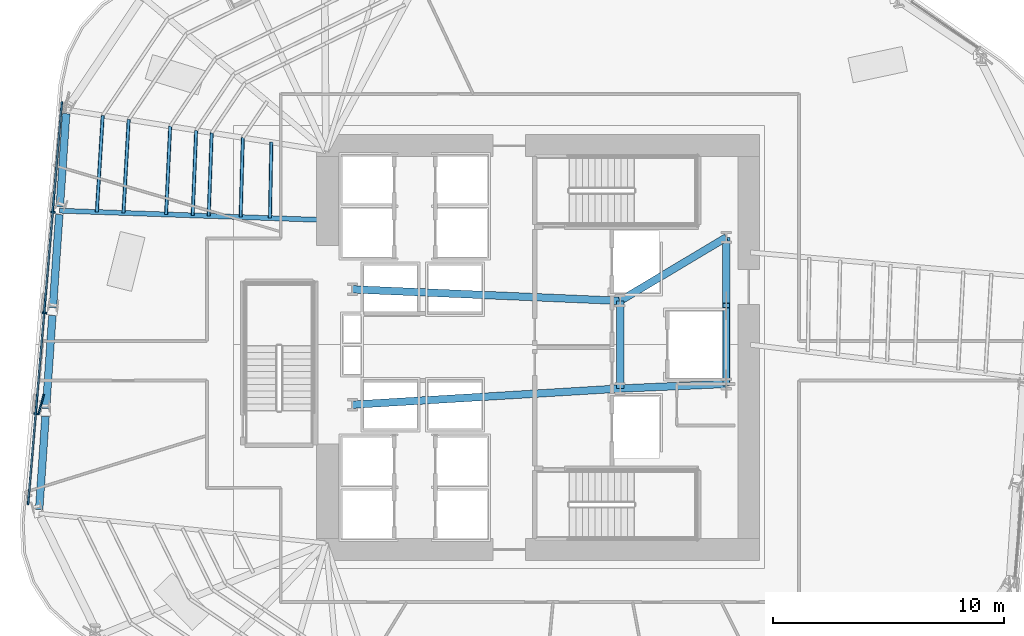
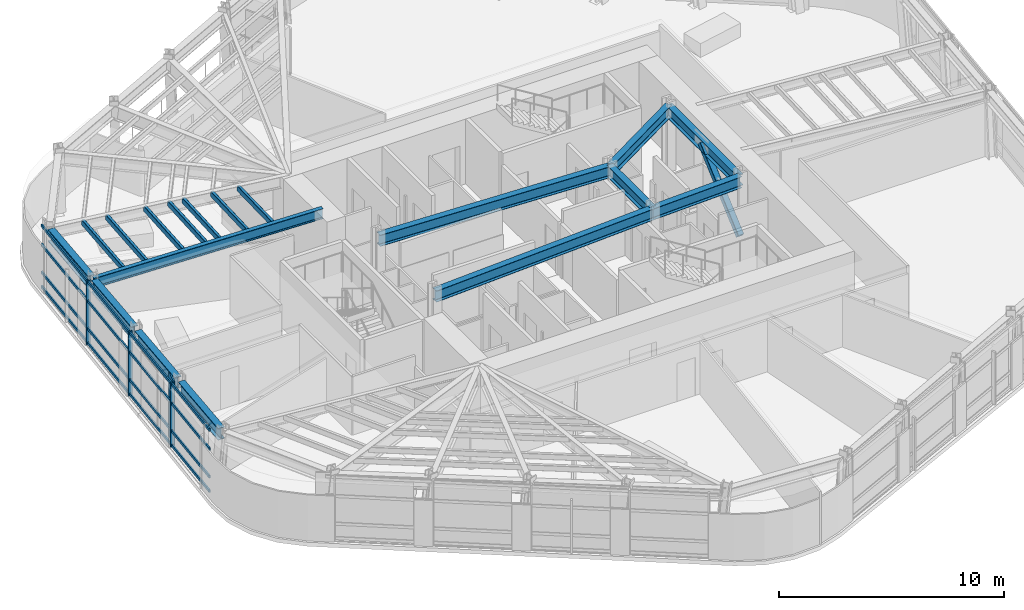
# One storey, part 4 of 19: 16 members, 11 beams, 1 element without a shape of its own.
"""IFC4 building model written with IfcOpenShell, lengths in metres."""

import ifcopenshell
import ifcopenshell.guid

model = None  # the IFC model being written
_history = None  # IfcOwnerHistory: only IFC2X3 demands one
_inside = {}  # id of a spatial element -> (the spatial element, [elements in it])
_under = {}  # id of a project, library or spatial element -> (it, [spatial elements below it])
_declared = {}  # id of a project -> (the project, [libraries it declares])
_typed = {}  # id of a type object -> (the type object, [elements of that type])
_made_of = {}  # id of a material, layer set ... -> (it, [elements and type objects made of it])


def new_model(schema):
    """Start an empty IFC model of exactly this schema.

    Asked for "IFC4X3", IfcOpenShell would pick the latest addendum, in which some entities
    have other attributes; the version numbers below select the first issue.
    IFC2X3 requires an IfcOwnerHistory on every rooted entity: one is made here for all.
    """
    global model, _history
    if schema == "IFC4X3":
        model = ifcopenshell.file(schema_version=(4, 3, 0, 0))
    else:
        model = ifcopenshell.file(schema=schema)
    _inside.clear()
    _under.clear()
    _declared.clear()
    _typed.clear()
    _made_of.clear()
    _history = None
    if model.schema == "IFC2X3":
        org = make("IfcOrganization", Name="unknown")
        user = make(
            "IfcPersonAndOrganization",
            ThePerson=make("IfcPerson", FamilyName="unknown"),
            TheOrganization=org,
        )
        app = make(
            "IfcApplication",
            ApplicationDeveloper=org,
            Version="unknown",
            ApplicationFullName="unknown",
            ApplicationIdentifier="unknown",
        )
        _history = make(
            "IfcOwnerHistory",
            OwningUser=user,
            OwningApplication=app,
            ChangeAction="ADDED",
            CreationDate=0,
        )
    return model


def make(cls, **values):
    """One entity of the class cls with the attributes given. An attribute that is None is left unset."""
    return model.create_entity(
        cls, **{name: value for name, value in values.items() if value is not None}
    )


def rooted(cls, **values):
    """An entity with a GlobalId (a new one), such as an element, a storey or a relation."""
    return make(cls, GlobalId=ifcopenshell.guid.new(), OwnerHistory=_history, **values)


def si_unit(unit_type, name, prefix=None):
    """IfcSIUnit, for example si_unit("LENGTHUNIT", "METRE", prefix="MILLI")."""
    return make("IfcSIUnit", UnitType=unit_type, Prefix=prefix, Name=name)


def assignment(units):
    """IfcUnitAssignment: the units of a project."""
    return None if units is None else make("IfcUnitAssignment", Units=units)


def point(xyz):
    """IfcCartesianPoint."""
    return None if xyz is None else make("IfcCartesianPoint", Coordinates=xyz)


def direction(xyz):
    """IfcDirection."""
    return None if xyz is None else make("IfcDirection", DirectionRatios=xyz)


def frame(location, z_axis=None, x_axis=None):
    """IfcAxis2Placement3D, a coordinate frame: its origin and axes. An axis left out is left unset."""
    return make(
        "IfcAxis2Placement3D",
        Location=point(location),
        Axis=direction(z_axis),
        RefDirection=direction(x_axis),
    )


def frame_2d(location, x_axis=None):
    """IfcAxis2Placement2D, a coordinate frame in the plane: its origin and x axis."""
    return make(
        "IfcAxis2Placement2D", Location=point(location), RefDirection=direction(x_axis)
    )


def origin():
    """The frame at (0, 0, 0) with its axes left unset."""
    return frame((0.0, 0.0, 0.0))


def origin_2d():
    """The frame at (0, 0) in the plane with its x axis left unset."""
    return frame_2d((0.0, 0.0))


def place(relative_to, where):
    """IfcLocalPlacement: puts the frame where relative to a parent placement (None: the world)."""
    return make(
        "IfcLocalPlacement", PlacementRelTo=relative_to, RelativePlacement=where
    )


def context(
    kind, dimensions, precision=None, world=None, true_north=None, identifier=None
):
    """IfcGeometricRepresentationContext, for example the 3D "Model" context."""
    return make(
        "IfcGeometricRepresentationContext",
        ContextIdentifier=identifier,
        ContextType=kind,
        CoordinateSpaceDimension=dimensions,
        Precision=precision,
        WorldCoordinateSystem=world,
        TrueNorth=true_north,
    )


def subcontext(parent, identifier, kind, view, scale=None):
    """IfcGeometricRepresentationSubContext, for example "Body" below "Model"."""
    return make(
        "IfcGeometricRepresentationSubContext",
        ContextIdentifier=identifier,
        ContextType=kind,
        ParentContext=parent,
        TargetScale=scale,
        TargetView=view,
    )


def project(units=None, contexts=None):
    """IfcProject with its units and contexts."""
    return rooted(
        "IfcProject",
        Name="project",
        RepresentationContexts=contexts,
        UnitsInContext=assignment(units),
    )


def spatial(cls, under=None, at=None, **own):
    """A site, building, storey or space (cls), placed at a placement, below another one or the project."""
    s = rooted(cls, ObjectPlacement=at, **own)
    if under is not None:
        _under.setdefault(under.id(), (under, []))[1].append(s)
    return s


def profile(cls, at=None, kind="AREA", **sizes):
    """A parametric profile (cls). Its sizes go by their IFC names, for example OverallWidth=200.0."""
    return make(cls, ProfileType=kind, Position=at, **sizes)


def rectangle(**sizes):
    """IfcRectangleProfileDef."""
    return profile("IfcRectangleProfileDef", **sizes)


def hollow_rectangle(**sizes):
    """IfcRectangleHollowProfileDef."""
    return profile("IfcRectangleHollowProfileDef", **sizes)


def i_section(**sizes):
    """IfcIShapeProfileDef."""
    return profile("IfcIShapeProfileDef", **sizes)


def extrude(swept, where, along, depth):
    """IfcExtrudedAreaSolid: the profile swept, set in the frame where, extruded along a direction by depth."""
    return make(
        "IfcExtrudedAreaSolid",
        SweptArea=swept,
        Position=where,
        ExtrudedDirection=direction(along),
        Depth=depth,
    )


def shape(context_of_items, identifier, shape_type, items):
    """IfcShapeRepresentation: the items that make up one representation, for example the "Body"."""
    return make(
        "IfcShapeRepresentation",
        ContextOfItems=context_of_items,
        RepresentationIdentifier=identifier,
        RepresentationType=shape_type,
        Items=items,
    )


def material(Name=None, Category=None):
    """IfcMaterial."""
    return make("IfcMaterial", Name=Name, Category=Category)


def layer(
    of_material, thickness, ventilated=None, Name=None, Category=None, Priority=None
):
    """IfcMaterialLayer: one layer of a wall or slab, of a material (None: an air gap)."""
    return make(
        "IfcMaterialLayer",
        Material=of_material,
        LayerThickness=thickness,
        IsVentilated=ventilated,
        Name=Name,
        Category=Category,
        Priority=Priority,
    )


def layer_set(layers, Name=None):
    """IfcMaterialLayerSet."""
    return make("IfcMaterialLayerSet", MaterialLayers=layers, LayerSetName=Name)


def material_profile(
    of_material, cross_section, Name=None, Category=None, Priority=None
):
    """IfcMaterialProfile: a cross section and its material."""
    return make(
        "IfcMaterialProfile",
        Name=Name,
        Material=of_material,
        Profile=cross_section,
        Priority=Priority,
        Category=Category,
    )


def profile_set(profiles, Name=None, composite=None):
    """IfcMaterialProfileSet."""
    return make(
        "IfcMaterialProfileSet",
        Name=Name,
        MaterialProfiles=profiles,
        CompositeProfile=composite,
    )


def made_of(thing, what):
    """Note that an element or type object is made of a material, layer set ...; save() writes the relation."""
    if what is not None:
        _made_of.setdefault(what.id(), (what, []))[1].append(thing)
    return thing


def type_object(cls, material=None, **own):
    """A type object (cls), such as IfcWallType, which elements share."""
    return made_of(rooted(cls, **own), material)


def element(
    cls,
    number,
    at=None,
    inside=None,
    cuts=None,
    type_object=None,
    material=None,
    context=None,
    identifier="Body",
    shape_type=None,
    held_by="IfcProductDefinitionShape",
    body=None,
    shapes=None,
    **own,
):
    """One element of the class cls, such as IfcWall. Its Tag is "e" and its number.

    at: its placement. inside: the storey or other place that contains it. cuts: it is an
    opening in that element (IfcRelVoidsElement). A single representation is given by context,
    identifier, shape_type and body (its items); several are given by shapes. held_by: the class
    of the entity that holds the representations. save() writes the other relations.
    """
    e = rooted(cls, Tag="e%d" % number, ObjectPlacement=at, **own)
    if body is not None:
        shapes = [shape(context, identifier, shape_type, body)]
    if shapes is not None:
        e.Representation = make(held_by, Representations=shapes)
    if inside is not None:
        _inside.setdefault(inside.id(), (inside, []))[1].append(e)
    if cuts is not None:
        rooted(
            "IfcRelVoidsElement", RelatingBuildingElement=cuts, RelatedOpeningElement=e
        )
    if type_object is not None:
        _typed.setdefault(type_object.id(), (type_object, []))[1].append(e)
    return made_of(e, material)


def aggregate(whole, parts):
    """IfcRelAggregates: a whole, such as a stair, and the parts it consists of."""
    return rooted("IfcRelAggregates", RelatingObject=whole, RelatedObjects=parts)


def save(model, path):
    """Write the relations noted so far, then the file.

    IfcRelAggregates (storeys below a building ...), IfcRelContainedInSpatialStructure (elements
    in a storey), IfcRelDefinesByType, IfcRelAssociatesMaterial and IfcRelDeclares: one each for
    every whole, place, type object, material and project.
    """
    for whole, parts in _under.values():
        aggregate(whole, parts)
    for where, things in _inside.values():
        rooted(
            "IfcRelContainedInSpatialStructure",
            RelatedElements=things,
            RelatingStructure=where,
        )
    for kind, things in _typed.values():
        rooted("IfcRelDefinesByType", RelatedObjects=things, RelatingType=kind)
    for what, things in _made_of.values():
        rooted("IfcRelAssociatesMaterial", RelatedObjects=things, RelatingMaterial=what)
    for by, libraries in _declared.values():
        rooted("IfcRelDeclares", RelatingContext=by, RelatedDefinitions=libraries)
    model.write(path)


model = new_model("IFC4")

# Units and contexts
model_context = context("Model", 3, precision=1e-05, world=origin(), true_north=direction((0.0, 1.0)))
body_context = subcontext(model_context, "Body", "Model", "MODEL_VIEW")
ifc_project = project(units=[si_unit("LENGTHUNIT", "METRE"), si_unit("AREAUNIT", "SQUARE_METRE"), si_unit("VOLUMEUNIT", "CUBIC_METRE"), si_unit("PLANEANGLEUNIT", "RADIAN"), si_unit("MASSUNIT", "GRAM", prefix="KILO")], contexts=[model_context])

# Site, building, storey
site_placement = place(None, origin())
site = spatial("IfcSite", under=ifc_project, at=site_placement, CompositionType="ELEMENT")
building_placement = place(site_placement, origin())
building = spatial("IfcBuilding", under=site, at=building_placement, Name="Valkerne Bourse Tower", CompositionType="ELEMENT")
storey_placement = place(building_placement, frame((0.0, 0.0, 131.39990234375)))
storey = spatial("IfcBuildingStorey", under=building, at=storey_placement, Name="L33", CompositionType="ELEMENT", Elevation=131.39990234375)

# Beams
ifc_material_1 = material(Name="Steel ASTM A992", Category="steel")
ifc_material_profile_1 = material_profile(ifc_material_1, i_section(OverallWidth=0.2138671875, OverallDepth=0.548583984375, WebThickness=0.0146484375, FlangeThickness=0.023681640625, FilletRadius=0.017822265625, at=origin_2d()), Name="W21X93")
ifc_profile_set_1 = profile_set([ifc_material_profile_1], Name="Steel ASTM A992")
beam_type_1 = type_object("IfcBeamType", Name="BM-W21X93", PredefinedType="BEAM", material=ifc_profile_set_1)
beam_1_placement = place(storey_placement, frame((26.05908203125, 32.80712890625, 3.245849609375), z_axis=(0.999378059501, -0.035263212964, 0.0), x_axis=(0.035263212964, 0.999378059501, 0.0)))
element("IfcBeam", 1, at=beam_1_placement, inside=storey, type_object=beam_type_1, Name="L33 Radial Composite Floor Beam 11", PredefinedType="BEAM", context=body_context, shape_type="SweptSolid", body=[
    extrude(i_section(OverallWidth=0.2138671875, OverallDepth=0.548583984375, WebThickness=0.0146484375, FlangeThickness=0.023681640625, FilletRadius=0.017822265625, at=origin_2d()), origin(), (0.0, 0.0, 1.0), 11.548095703125),
])
ifc_material_profile_2 = material_profile(ifc_material_1, i_section(OverallWidth=0.3251953125, OverallDepth=0.612060546875, WebThickness=0.0126953125, FlangeThickness=0.01904296875, FilletRadius=0.020263671875, at=origin_2d()), Name="W24X104")
ifc_profile_set_2 = profile_set([ifc_material_profile_2], Name="Steel ASTM A992")
beam_type_2 = type_object("IfcBeamType", Name="BM-W24X104", PredefinedType="BEAM", material=ifc_profile_set_2)
beam_2_placement = place(storey_placement, frame((50.35009765625, 25.10009765625, 3.214111328125), z_axis=(0.0, 1.0, 0.0), x_axis=(-1.0, 0.0, 0.0)))
element("IfcBeam", 2, at=beam_2_placement, inside=storey, type_object=beam_type_2, Name="L33 Core Frame Girder CG-CE", PredefinedType="BEAM", context=body_context, shape_type="SweptSolid", body=[
    extrude(i_section(OverallWidth=0.3251953125, OverallDepth=0.612060546875, WebThickness=0.0126953125, FlangeThickness=0.01904296875, FilletRadius=0.020263671875, at=origin_2d()), origin(), (0.0, 0.0, 1.0), 3.7998046875),
])
beam_3_placement = place(storey_placement, frame((50.35009765625, 25.10009765625, 3.214111328125), z_axis=(0.999056558506, 0.043428019819, 0.0), x_axis=(-0.043428019819, 0.999056558506, 0.0)))
element("IfcBeam", 3, at=beam_3_placement, inside=storey, type_object=beam_type_2, Name="L33 Core Frame Girder CG-SE", PredefinedType="BEAM", context=body_context, shape_type="SweptSolid", body=[
    extrude(i_section(OverallWidth=0.3251953125, OverallDepth=0.612060546875, WebThickness=0.0126953125, FlangeThickness=0.01904296875, FilletRadius=0.020263671875, at=origin_2d()), origin(), (0.0, 0.0, 1.0), 4.604248046875),
])
beam_4_placement = place(storey_placement, frame((50.35009765625, 28.89990234375, 3.214111328125), z_axis=(0.858307823492, 0.513135148019, 0.0), x_axis=(-0.513135148019, 0.858307823492, 0.0)))
element("IfcBeam", 4, at=beam_4_placement, inside=storey, type_object=beam_type_2, Name="L33 Core Frame Girder CG-NE", PredefinedType="BEAM", context=body_context, shape_type="SweptSolid", body=[
    extrude(i_section(OverallWidth=0.3251953125, OverallDepth=0.612060546875, WebThickness=0.0126953125, FlangeThickness=0.01904296875, FilletRadius=0.020263671875, at=origin_2d()), origin(), (0.0, 0.0, 1.0), 5.359130859375),
])
beam_5_placement = place(storey_placement, frame((54.949951171875, 25.300048828125, 3.214111328125), z_axis=(0.0, 1.0, 0.0), x_axis=(-1.0, 0.0, 0.0)))
element("IfcBeam", 5, at=beam_5_placement, inside=storey, type_object=beam_type_2, Name="L33 Core Frame Girder CG-EE", PredefinedType="BEAM", context=body_context, shape_type="SweptSolid", body=[
    extrude(i_section(OverallWidth=0.3251953125, OverallDepth=0.612060546875, WebThickness=0.0126953125, FlangeThickness=0.01904296875, FilletRadius=0.020263671875, at=origin_2d()), origin(), (0.0, 0.0, 1.0), 6.349853515625),
])
beam_6_placement = place(storey_placement, frame((38.75, 24.39990234375, 3.214111328125), z_axis=(0.998183228389, 0.060251494276, 0.0), x_axis=(-0.060251494276, 0.998183228389, 0.0)))
element("IfcBeam", 6, at=beam_6_placement, inside=storey, type_object=beam_type_2, Name="L33 Core Frame Girder CG-SW", PredefinedType="BEAM", context=body_context, shape_type="SweptSolid", body=[
    extrude(i_section(OverallWidth=0.3251953125, OverallDepth=0.612060546875, WebThickness=0.0126953125, FlangeThickness=0.01904296875, FilletRadius=0.020263671875, at=origin_2d()), origin(), (0.0, 0.0, 1.0), 11.62109375),
])
beam_7_placement = place(storey_placement, frame((38.75, 29.39990234375, 3.214111328125), z_axis=(0.999072354402, -0.043063101019, 0.0), x_axis=(0.043063101019, 0.999072354402, 0.0)))
element("IfcBeam", 7, at=beam_7_placement, inside=storey, type_object=beam_type_2, Name="L33 Core Frame Girder CG-NW", PredefinedType="BEAM", context=body_context, shape_type="SweptSolid", body=[
    extrude(i_section(OverallWidth=0.3251953125, OverallDepth=0.612060546875, WebThickness=0.0126953125, FlangeThickness=0.01904296875, FilletRadius=0.020263671875, at=origin_2d()), origin(), (0.0, 0.0, 1.0), 11.61083984375),
])
ifc_material_profile_3 = material_profile(ifc_material_1, i_section(OverallWidth=0.330078125, OverallDepth=0.647705078125, WebThickness=0.0205078125, FlangeThickness=0.037109375, FilletRadius=0.020263671875, at=origin_2d()), Name="W24X192")
ifc_profile_set_3 = profile_set([ifc_material_profile_3], Name="Steel ASTM A992")
beam_type_3 = type_object("IfcBeamType", Name="BM-W24X192", PredefinedType="SPANDREL", material=ifc_profile_set_3)
beam_8_placement = place(storey_placement, frame((26.345703125, 37.010498046875, 3.1962890625), z_axis=(-0.067993835171, -0.997685741293, 0.0), x_axis=(0.997685741293, -0.067993835171, 0.0)))
element("IfcBeam", 8, at=beam_8_placement, inside=storey, type_object=beam_type_3, Name="L33 Hexagonal Spandrel Ring Beam 10", PredefinedType="SPANDREL", context=body_context, shape_type="SweptSolid", body=[
    extrude(i_section(OverallWidth=0.330078125, OverallDepth=0.647705078125, WebThickness=0.0205078125, FlangeThickness=0.037109375, FilletRadius=0.020263671875, at=origin_2d()), origin(), (0.0, 0.0, 1.0), 4.04296875),
])
beam_9_placement = place(storey_placement, frame((26.047607421875, 32.637451171875, 3.1962890625), z_axis=(-0.067997931743, -0.997685462097, 0.0), x_axis=(0.997685462097, -0.067997931743, 0.0)))
element("IfcBeam", 9, at=beam_9_placement, inside=storey, type_object=beam_type_3, Name="L33 Hexagonal Spandrel Ring Beam 11", PredefinedType="SPANDREL", context=body_context, shape_type="SweptSolid", body=[
    extrude(i_section(OverallWidth=0.330078125, OverallDepth=0.647705078125, WebThickness=0.0205078125, FlangeThickness=0.037109375, FilletRadius=0.020263671875, at=origin_2d()), origin(), (0.0, 0.0, 1.0), 4.042724609375),
])
for number, where, z_axis, x_axis, name in (
    (10, (25.74951171875, 28.2646484375, 3.1962890625), (-0.067993835171, -0.997685741293, 0.0), (0.997685741293, -0.067993835171, 0.0), "L33 Hexagonal Spandrel Ring Beam 12"),
    (11, (25.451416015625, 23.891845703125, 3.1962890625), (-0.067993835171, -0.997685741293, 0.0), (0.997685741293, -0.067993835171, 0.0), "L33 Hexagonal Spandrel Ring Beam 13"),
):
    element("IfcBeam", number, at=place(storey_placement, frame(where, z_axis=z_axis, x_axis=x_axis)), inside=storey, type_object=beam_type_3, Name=name, PredefinedType="SPANDREL", context=body_context, shape_type="SweptSolid", body=[
        extrude(i_section(OverallWidth=0.330078125, OverallDepth=0.647705078125, WebThickness=0.0205078125, FlangeThickness=0.037109375, FilletRadius=0.020263671875, at=origin_2d()), origin(), (0.0, 0.0, 1.0), 4.04296875),
    ])

# Curtain wall, members
ifc_material_2 = material(Name="Aluminium AA 6063-T6", Category="aluminium")
ifc_layer = layer(ifc_material_2, 0.22998046875)
ifc_layer_set = layer_set([ifc_layer], Name="Aluminium AA 6063-T6")
curtain_wall_type = type_object("IfcCurtainWallType", Name="CW-02", PredefinedType="NOTDEFINED", material=ifc_layer_set)
curtain_wall_placement = place(storey_placement, origin())
curtain_wall = element("IfcCurtainWall", 12, at=curtain_wall_placement, inside=storey, type_object=curtain_wall_type, Name="L33 Hexagonal Stick Curtain Wall Face 3", PredefinedType="NOTDEFINED")
ifc_material_profile_4 = material_profile(ifc_material_2, rectangle(XDim=0.074951171875, YDim=0.199951171875, at=origin_2d()), Name="CWM-75X200")
ifc_profile_set_4 = profile_set([ifc_material_profile_4], Name="Aluminium AA 6063-T6")
member_type_1 = type_object("IfcMemberType", Name="CW-MUL-220X75", PredefinedType="MULLION", material=ifc_profile_set_4)
member_1_placement = place(storey_placement, frame((25.779052734375, 32.7421875, 0.0), z_axis=(0.0, 0.0, 1.0), x_axis=(-0.083687445044, -0.996492052925, 0.0)))
member_1 = element("IfcMember", 13, at=member_1_placement, type_object=member_type_1, Name="CW-L33-F3 Jamb Mullion 01A", PredefinedType="MULLION", context=body_context, shape_type="SweptSolid", body=[
    extrude(rectangle(XDim=0.074951171875, YDim=0.199951171875, at=origin_2d()), origin(), (0.0, 0.0, 1.0), 3.52001953125),
])
member_2_placement = place(storey_placement, frame((25.412353515625, 28.37451171875, 0.0), z_axis=(0.0, 0.0, 1.0), x_axis=(-0.083662887107, -0.996494115046, 0.0)))
member_2 = element("IfcMember", 14, at=member_2_placement, type_object=member_type_1, Name="CW-L33-F3 Jamb Mullion 02A", PredefinedType="MULLION", context=body_context, shape_type="SweptSolid", body=[
    extrude(rectangle(XDim=0.074951171875, YDim=0.199951171875, at=origin_2d()), origin(), (0.0, 0.0, 1.0), 3.52001953125),
])
member_3_placement = place(storey_placement, frame((25.04541015625, 24.0068359375, 0.0), z_axis=(0.0, 0.0, 1.0), x_axis=(-0.083687445044, -0.996492052925, 0.0)))
member_3 = element("IfcMember", 15, at=member_3_placement, type_object=member_type_1, Name="CW-L33-F3 Jamb Mullion 03A", PredefinedType="MULLION", context=body_context, shape_type="SweptSolid", body=[
    extrude(rectangle(XDim=0.074951171875, YDim=0.199951171875, at=origin_2d()), origin(), (0.0, 0.0, 1.0), 3.52001953125),
])
ifc_material_profile_5 = material_profile(ifc_material_2, rectangle(XDim=0.074951171875, YDim=0.14990234375, at=origin_2d()), Name="CWT-75X150")
ifc_profile_set_5 = profile_set([ifc_material_profile_5], Name="Aluminium AA 6063-T6")
member_type_2 = type_object("IfcMemberType", Name="CW-TRN-180X65", PredefinedType="USERDEFINED", material=ifc_profile_set_5)
member_4_placement = place(storey_placement, frame((26.1611328125, 37.52978515625, 0.1201171875), z_axis=(-0.083678159723, -0.996492832681, 0.0), x_axis=(0.996492832681, -0.083678159723, 0.0)))
member_4 = element("IfcMember", 16, at=member_4_placement, type_object=member_type_2, Name="CW-L33-F3 Continuous Face Transom 1", ObjectType="TRANSOM", PredefinedType="USERDEFINED", context=body_context, shape_type="SweptSolid", body=[
    extrude(rectangle(XDim=0.074951171875, YDim=0.14990234375, at=origin_2d()), origin(), (0.0, 0.0, 1.0), 17.531982421875),
])
member_5_placement = place(storey_placement, frame((26.1611328125, 37.52978515625, 0.900146484375), z_axis=(-0.083678159723, -0.996492832681, 0.0), x_axis=(0.996492832681, -0.083678159723, 0.0)))
member_5 = element("IfcMember", 17, at=member_5_placement, type_object=member_type_2, Name="CW-L33-F3 Continuous Face Transom 2", ObjectType="TRANSOM", PredefinedType="USERDEFINED", context=body_context, shape_type="SweptSolid", body=[
    extrude(rectangle(XDim=0.074951171875, YDim=0.14990234375, at=origin_2d()), origin(), (0.0, 0.0, 1.0), 17.531982421875),
])
member_6_placement = place(storey_placement, frame((26.1611328125, 37.52978515625, 2.400146484375), z_axis=(-0.083678159723, -0.996492832681, 0.0), x_axis=(0.996492832681, -0.083678159723, 0.0)))
member_6 = element("IfcMember", 18, at=member_6_placement, type_object=member_type_2, Name="CW-L33-F3 Continuous Face Transom 3", ObjectType="TRANSOM", PredefinedType="USERDEFINED", context=body_context, shape_type="SweptSolid", body=[
    extrude(rectangle(XDim=0.074951171875, YDim=0.14990234375, at=origin_2d()), origin(), (0.0, 0.0, 1.0), 17.531982421875),
])
member_7_placement = place(storey_placement, frame((26.1611328125, 37.52978515625, 3.440185546875), z_axis=(-0.083678159723, -0.996492832681, 0.0), x_axis=(0.996492832681, -0.083678159723, 0.0)))
member_7 = element("IfcMember", 19, at=member_7_placement, type_object=member_type_2, Name="CW-L33-F3 Continuous Face Transom 4", ObjectType="TRANSOM", PredefinedType="USERDEFINED", context=body_context, shape_type="SweptSolid", body=[
    extrude(rectangle(XDim=0.074951171875, YDim=0.14990234375, at=origin_2d()), origin(), (0.0, 0.0, 1.0), 17.531982421875),
])
aggregate(curtain_wall, [member_4, member_5, member_6, member_7, member_1, member_2, member_3])

# Members
ifc_material_3 = material(Name="Bronze Anodised Aluminium AA 6063-T6", Category="aluminium")
ifc_material_profile_6 = material_profile(ifc_material_3, rectangle(XDim=0.070068359375, YDim=0.89990234375, at=origin_2d()), Name="FIN-70X900")
ifc_profile_set_6 = profile_set([ifc_material_profile_6], Name="Bronze Anodised Aluminium AA 6063-T6")
member_type_3 = type_object("IfcMemberType", Name="FIN-SOLAR-900", PredefinedType="USERDEFINED", material=ifc_profile_set_6)
member_8_placement = place(storey_placement, frame((25.260009765625, 24.410400390625, 0.004150390625), z_axis=(0.0, 0.0, 1.0), x_axis=(-0.967037763918, 0.254632996991, 0.0)))
element("IfcMember", 20, at=member_8_placement, inside=storey, type_object=member_type_3, Name="L33 Bronze Anodised Solar Fin F3-03", ObjectType="SOLAR_FIN", PredefinedType="USERDEFINED", context=body_context, shape_type="SweptSolid", body=[
    extrude(rectangle(XDim=0.070068359375, YDim=0.89990234375, at=origin_2d()), origin(), (0.0, 0.0, 1.0), 3.511962890625),
])
ifc_material_4 = material(Name="Steel ASTM A500 Grade C", Category="steel")
ifc_material_profile_7 = material_profile(ifc_material_4, hollow_rectangle(XDim=0.14990234375, YDim=0.300048828125, WallThickness=0.012451171875, OuterFilletRadius=0.02490234375, at=origin_2d()), Name="HSS300X150X12.5")
ifc_profile_set_7 = profile_set([ifc_material_profile_7], Name="Steel ASTM A500 Grade C")
member_type_4 = type_object("IfcMemberType", Name="MBR-HSS300X150X12.5", PredefinedType="PURLIN", material=ifc_profile_set_7)
member_9_placement = place(storey_placement, frame((34.002197265625, 35.969482421875, 3.360107421875), z_axis=(-0.027674496006, -0.999616987786, 0.0), x_axis=(0.999616987786, -0.027674496006, 0.0)))
element("IfcMember", 21, at=member_9_placement, inside=storey, type_object=member_type_4, Name="L33 Secondary Composite Floor Purlin I-10", PredefinedType="PURLIN", context=body_context, shape_type="SweptSolid", body=[
    extrude(hollow_rectangle(XDim=0.14990234375, YDim=0.300048828125, WallThickness=0.012451171875, OuterFilletRadius=0.02490234375, at=origin_2d()), origin(), (0.0, 0.0, 1.0), 3.4404296875),
])
member_10_placement = place(storey_placement, frame((32.6533203125, 36.18310546875, 3.360107421875), z_axis=(-0.036420746576, -0.999336544523, 0.0), x_axis=(0.999336544523, -0.036420746576, 0.0)))
element("IfcMember", 22, at=member_10_placement, inside=storey, type_object=member_type_4, Name="L33 Secondary Composite Floor Purlin K-10", PredefinedType="PURLIN", context=body_context, shape_type="SweptSolid", body=[
    extrude(hollow_rectangle(XDim=0.14990234375, YDim=0.300048828125, WallThickness=0.012451171875, OuterFilletRadius=0.02490234375, at=origin_2d()), origin(), (0.0, 0.0, 1.0), 3.6064453125),
])
member_11_placement = place(storey_placement, frame((31.978759765625, 36.2900390625, 3.360107421875), z_axis=(-0.040430491254, -0.999182353416, 0.0), x_axis=(0.999182353416, -0.040430491254, 0.0)))
element("IfcMember", 23, at=member_11_placement, inside=storey, type_object=member_type_4, Name="L33 Secondary Composite Floor Purlin M-10", PredefinedType="PURLIN", context=body_context, shape_type="SweptSolid", body=[
    extrude(hollow_rectangle(XDim=0.14990234375, YDim=0.300048828125, WallThickness=0.012451171875, OuterFilletRadius=0.02490234375, at=origin_2d()), origin(), (0.0, 0.0, 1.0), 3.689453125),
])
member_12_placement = place(storey_placement, frame((29.055419921875, 36.752685546875, 3.360107421875), z_axis=(-0.055887396377, -0.998437078101, 0.0), x_axis=(0.998437078101, -0.055887396377, 0.0)))
element("IfcMember", 24, at=member_12_placement, inside=storey, type_object=member_type_4, Name="L33 Secondary Composite Floor Purlin O-10", PredefinedType="PURLIN", context=body_context, shape_type="SweptSolid", body=[
    extrude(hollow_rectangle(XDim=0.14990234375, YDim=0.300048828125, WallThickness=0.012451171875, OuterFilletRadius=0.02490234375, at=origin_2d()), origin(), (0.0, 0.0, 1.0), 4.049560546875),
])
member_13_placement = place(storey_placement, frame((30.8544921875, 36.468017578125, 3.360107421875), z_axis=(-0.046750003389, -0.998906620853, 0.0), x_axis=(0.998906620853, -0.046750003389, 0.0)))
element("IfcMember", 25, at=member_13_placement, inside=storey, type_object=member_type_4, Name="L33 Secondary Composite Floor Purlin Z-10", PredefinedType="PURLIN", context=body_context, shape_type="SweptSolid", body=[
    extrude(hollow_rectangle(XDim=0.14990234375, YDim=0.300048828125, WallThickness=0.012451171875, OuterFilletRadius=0.02490234375, at=origin_2d()), origin(), (0.0, 0.0, 1.0), 3.827880859375),
])
member_14_placement = place(storey_placement, frame((35.239013671875, 35.773681640625, 3.360107421875), z_axis=(-0.019004586094, -0.999819396545, 0.0), x_axis=(0.999819396545, -0.019004586094, 0.0)))
element("IfcMember", 26, at=member_14_placement, inside=storey, type_object=member_type_4, Name="L33 Secondary Composite Floor Purlin S-10", PredefinedType="PURLIN", context=body_context, shape_type="SweptSolid", body=[
    extrude(hollow_rectangle(XDim=0.14990234375, YDim=0.300048828125, WallThickness=0.012451171875, OuterFilletRadius=0.02490234375, at=origin_2d()), origin(), (0.0, 0.0, 1.0), 3.28857421875),
])
member_15_placement = place(storey_placement, frame((27.931396484375, 36.930908203125, 3.360107421875), z_axis=(-0.061257007268, -0.998122026137, 0.0), x_axis=(0.998122026137, -0.061257007268, 0.0)))
element("IfcMember", 27, at=member_15_placement, inside=storey, type_object=member_type_4, Name="L33 Secondary Composite Floor Purlin T-10", PredefinedType="PURLIN", context=body_context, shape_type="SweptSolid", body=[
    extrude(hollow_rectangle(XDim=0.14990234375, YDim=0.300048828125, WallThickness=0.012451171875, OuterFilletRadius=0.02490234375, at=origin_2d()), origin(), (0.0, 0.0, 1.0), 4.188720703125),
])
ifc_material_profile_8 = material_profile(ifc_material_4, hollow_rectangle(XDim=0.300048828125, YDim=0.300048828125, WallThickness=0.012451171875, OuterFilletRadius=0.02490234375, at=origin_2d()), Name="HSS300X300X12.5")
ifc_profile_set_8 = profile_set([ifc_material_profile_8], Name="Steel ASTM A500 Grade C")
member_type_5 = type_object("IfcMemberType", Name="MBR-HSS300X300X12.5", PredefinedType="STRUT", material=ifc_profile_set_8)
member_16_placement = place(storey_placement, frame((54.949951171875, 25.300048828125, 0.22021484375), z_axis=(0.0, 0.750496451584, 0.660874478369), x_axis=(-1.0, 0.0, 0.0)))
element("IfcMember", 28, at=member_16_placement, inside=storey, type_object=member_type_5, Name="L33 Core Service Pier Lateral Brace", PredefinedType="STRUT", context=body_context, shape_type="SweptSolid", body=[
    extrude(hollow_rectangle(XDim=0.300048828125, YDim=0.300048828125, WallThickness=0.012451171875, OuterFilletRadius=0.02490234375, at=origin_2d()), origin(), (0.0, 0.0, 1.0), 4.5302734375),
])

save(model, "model.ifc")
